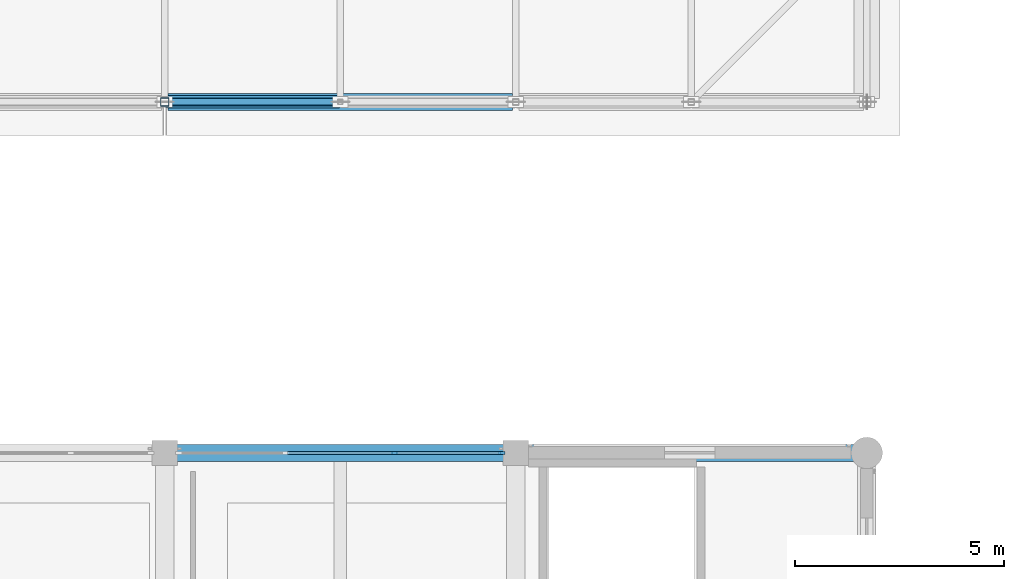
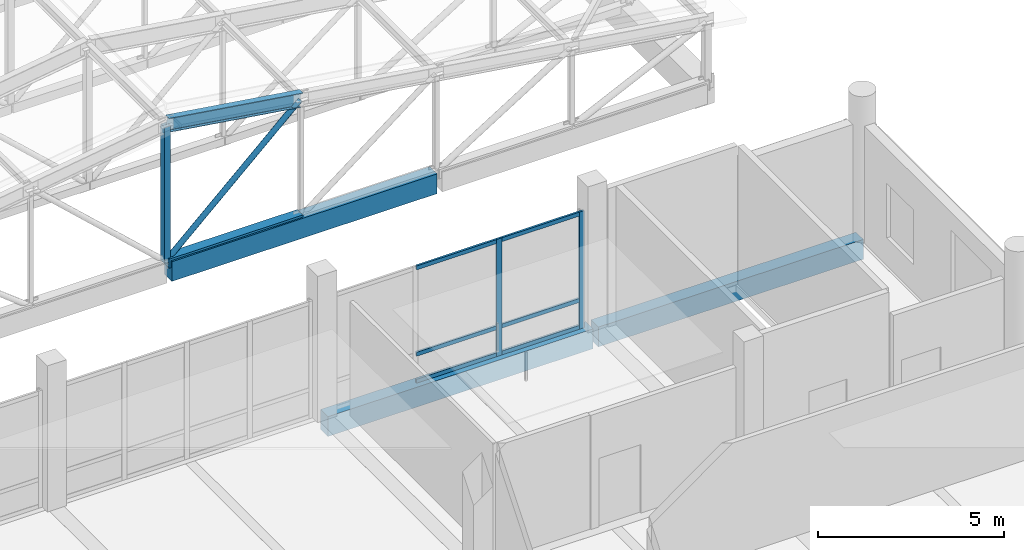
# One storey, part 26 of 122: 12 members, 3 beams, 1 element without a shape of its own.
"""IFC4 building model written with IfcOpenShell, lengths in metres."""

from ifc_helpers import new_model, si_unit, direction, frame, origin, origin_2d, place, context, subcontext, project, spatial, rectangle, hollow_rectangle, hollow_circle, i_section, extrude, material, layer, layer_set, material_profile, profile_set, type_object, element, aggregate, save


model = new_model("IFC4")

# Units and contexts
model_context = context("Model", 3, precision=1e-05, world=origin(), true_north=direction((0.0, 1.0)))
body_context = subcontext(model_context, "Body", "Model", "MODEL_VIEW")
ifc_project = project(units=[si_unit("LENGTHUNIT", "METRE"), si_unit("AREAUNIT", "SQUARE_METRE"), si_unit("VOLUMEUNIT", "CUBIC_METRE"), si_unit("PLANEANGLEUNIT", "RADIAN"), si_unit("MASSUNIT", "GRAM", prefix="KILO")], contexts=[model_context])

# Site, building, storey
site_placement = place(None, origin())
site = spatial("IfcSite", under=ifc_project, at=site_placement, CompositionType="ELEMENT")
building_placement = place(site_placement, origin())
building = spatial("IfcBuilding", under=site, at=building_placement, Name="Telukmera Botanical Conservatory", CompositionType="ELEMENT")
storey_placement = place(building_placement, frame((0.0, 0.0, 10.199951171875)))
storey = spatial("IfcBuildingStorey", under=building, at=storey_placement, Name="L02", CompositionType="ELEMENT", Elevation=10.199951171875)

# Beams
ifc_material_1 = material(Name="Concrete C40/50", Category="concrete")
ifc_material_profile_1 = material_profile(ifc_material_1, rectangle(XDim=0.39990234375, YDim=0.64990234375, at=origin_2d()), Name="RC 400x650")
ifc_profile_set_1 = profile_set([ifc_material_profile_1], Name="Concrete C40/50")
beam_type = type_object("IfcBeamType", Name="Beam_B8", PredefinedType="BEAM", material=ifc_profile_set_1)
for number, where, z_axis, x_axis, name in (
    (1, (25.280029296875, 74.800048828125, -0.324951171875), (1.0, 0.0, 0.0), (0.0, 1.0, 0.0), "Visitor Wing Grid Beam L02"),
    (2, (33.679931640625, 74.800048828125, -0.324951171875), (1.0, 0.0, 0.0), (0.0, 1.0, 0.0), "Visitor Wing Grid Beam L02"),
    (3, (25.280029296875, 83.199951171875, -0.324951171875), (1.0, 0.0, 0.0), (0.0, 1.0, 0.0), "Auditorium Frame Beam beam:V2:L02:port_x:832:252"),
):
    element("IfcBeam", number, at=place(storey_placement, frame(where, z_axis=z_axis, x_axis=x_axis)), inside=storey, type_object=beam_type, Name=name, PredefinedType="BEAM", context=body_context, shape_type="SweptSolid", body=[
        extrude(rectangle(XDim=0.39990234375, YDim=0.64990234375, at=origin_2d()), origin(), (0.0, 0.0, 1.0), 8.239990234375),
    ])

# Curtain wall, members
ifc_material_2 = material(Name="Anodised aluminium 6063-T6", Category="aluminium")
ifc_layer = layer(ifc_material_2, 0.179931640625)
ifc_layer_set = layer_set([ifc_layer], Name="Anodised aluminium 6063-T6")
curtain_wall_type = type_object("IfcCurtainWallType", Name="Visitor Gallery Second Floor Curtain Wall 2400 Mod", PredefinedType="USERDEFINED", material=ifc_layer_set)
curtain_wall_placement = place(storey_placement, origin())
curtain_wall = element("IfcCurtainWall", 4, at=curtain_wall_placement, inside=storey, type_object=curtain_wall_type, Name="Unitised Curtain Wall CW09 V3:L02:N3", ObjectType="UNITISED CURTAIN WALL", PredefinedType="USERDEFINED")
ifc_material_profile_2 = material_profile(ifc_material_2, rectangle(XDim=0.06494140625, YDim=0.159912109375, at=origin_2d()), Name="ALU MULL 65x160")
ifc_profile_set_2 = profile_set([ifc_material_profile_2], Name="Anodised aluminium 6063-T6")
member_type_1 = type_object("IfcMemberType", Name="Curtain Wall Extruded Mullion 65x160", PredefinedType="MULLION", material=ifc_profile_set_2)
member_1_placement = place(storey_placement, frame((30.69921875, 74.800048828125, 0.0), z_axis=(0.0, 0.0, 1.0), x_axis=(0.0, 1.0, 0.0)))
member_1 = element("IfcMember", 5, at=member_1_placement, type_object=member_type_1, Name="CW09 mullion 3", PredefinedType="MULLION", context=body_context, shape_type="SweptSolid", body=[
    extrude(rectangle(XDim=0.06494140625, YDim=0.159912109375, at=origin_2d()), origin(), (0.0, 0.0, 1.0), 3.85009765625),
])
member_2_placement = place(storey_placement, frame((33.265380859375, 74.800048828125, 0.0), z_axis=(0.0, 0.0, 1.0), x_axis=(0.0, 1.0, 0.0)))
member_2 = element("IfcMember", 6, at=member_2_placement, type_object=member_type_1, Name="CW09 mullion 4", PredefinedType="MULLION", context=body_context, shape_type="SweptSolid", body=[
    extrude(rectangle(XDim=0.06494140625, YDim=0.159912109375, at=origin_2d()), origin(), (0.0, 0.0, 1.0), 3.85009765625),
])
ifc_material_profile_3 = material_profile(ifc_material_2, rectangle(XDim=0.06494140625, YDim=0.1298828125, at=origin_2d()), Name="ALU TRAN 65x130")
ifc_profile_set_3 = profile_set([ifc_material_profile_3], Name="Anodised aluminium 6063-T6")
member_type_2 = type_object("IfcMemberType", Name="Curtain Wall Extruded Transom 65x130", PredefinedType="USERDEFINED", material=ifc_profile_set_3)
member_3_placement = place(storey_placement, frame((28.133056640625, 74.800048828125, 0.06494140625), z_axis=(1.0, 0.0, 0.0), x_axis=(0.0, 1.0, 0.0)))
member_3 = element("IfcMember", 7, at=member_3_placement, type_object=member_type_2, Name="CW09 transom 2.1", ObjectType="TRANSOM", PredefinedType="USERDEFINED", context=body_context, shape_type="SweptSolid", body=[
    extrude(rectangle(XDim=0.06494140625, YDim=0.1298828125, at=origin_2d()), origin(), (0.0, 0.0, 1.0), 2.53369140625),
])
member_4_placement = place(storey_placement, frame((28.133056640625, 74.800048828125, 0.949951171875), z_axis=(1.0, 0.0, 0.0), x_axis=(0.0, 1.0, 0.0)))
member_4 = element("IfcMember", 8, at=member_4_placement, type_object=member_type_2, Name="CW09 transom 2.2", ObjectType="TRANSOM", PredefinedType="USERDEFINED", context=body_context, shape_type="SweptSolid", body=[
    extrude(rectangle(XDim=0.06494140625, YDim=0.1298828125, at=origin_2d()), origin(), (0.0, 0.0, 1.0), 2.53369140625),
])
member_5_placement = place(storey_placement, frame((28.133056640625, 74.800048828125, 3.78515625), z_axis=(1.0, 0.0, 0.0), x_axis=(0.0, 1.0, 0.0)))
member_5 = element("IfcMember", 9, at=member_5_placement, type_object=member_type_2, Name="CW09 transom 2.3", ObjectType="TRANSOM", PredefinedType="USERDEFINED", context=body_context, shape_type="SweptSolid", body=[
    extrude(rectangle(XDim=0.06494140625, YDim=0.1298828125, at=origin_2d()), origin(), (0.0, 0.0, 1.0), 2.53369140625),
])
member_6_placement = place(storey_placement, frame((30.73193359375, 74.800048828125, 0.06494140625), z_axis=(1.0, 0.0, 0.0), x_axis=(0.0, 1.0, 0.0)))
member_6 = element("IfcMember", 10, at=member_6_placement, type_object=member_type_2, Name="CW09 transom 3.1", ObjectType="TRANSOM", PredefinedType="USERDEFINED", context=body_context, shape_type="SweptSolid", body=[
    extrude(rectangle(XDim=0.06494140625, YDim=0.1298828125, at=origin_2d()), origin(), (0.0, 0.0, 1.0), 2.5009765625),
])
member_7_placement = place(storey_placement, frame((30.73193359375, 74.800048828125, 0.949951171875), z_axis=(1.0, 0.0, 0.0), x_axis=(0.0, 1.0, 0.0)))
member_7 = element("IfcMember", 11, at=member_7_placement, type_object=member_type_2, Name="CW09 transom 3.2", ObjectType="TRANSOM", PredefinedType="USERDEFINED", context=body_context, shape_type="SweptSolid", body=[
    extrude(rectangle(XDim=0.06494140625, YDim=0.1298828125, at=origin_2d()), origin(), (0.0, 0.0, 1.0), 2.5009765625),
])
member_8_placement = place(storey_placement, frame((30.73193359375, 74.800048828125, 3.78515625), z_axis=(1.0, 0.0, 0.0), x_axis=(0.0, 1.0, 0.0)))
member_8 = element("IfcMember", 12, at=member_8_placement, type_object=member_type_2, Name="CW09 transom 3.3", ObjectType="TRANSOM", PredefinedType="USERDEFINED", context=body_context, shape_type="SweptSolid", body=[
    extrude(rectangle(XDim=0.06494140625, YDim=0.1298828125, at=origin_2d()), origin(), (0.0, 0.0, 1.0), 2.5009765625),
])
aggregate(curtain_wall, [member_1, member_2, member_3, member_4, member_5, member_6, member_7, member_8])

# Members
ifc_material_3 = material(Name="Steel S355", Category="steel")
ifc_material_profile_4 = material_profile(ifc_material_3, hollow_rectangle(XDim=0.300048828125, YDim=0.300048828125, WallThickness=0.012451171875, at=origin_2d()), Name="SHS 300x300x12.5")
ifc_profile_set_4 = profile_set([ifc_material_profile_4], Name="Steel S355")
member_type_3 = type_object("IfcMemberType", Name="Mem_TC3", PredefinedType="CHORD", material=ifc_profile_set_4)
member_9_placement = place(storey_placement, frame((25.219970703125, 83.199951171875, -0.079833984375), z_axis=(1.0, 0.0, 0.0), x_axis=(0.0, 1.0, 0.0)))
element("IfcMember", 13, at=member_9_placement, inside=storey, type_object=member_type_3, Name="Auditorium Pratt Truss Bottom Chord T1-5", PredefinedType="CHORD", context=body_context, shape_type="SweptSolid", body=[
    extrude(hollow_rectangle(XDim=0.300048828125, YDim=0.300048828125, WallThickness=0.012451171875, at=origin_2d()), origin(), (0.0, 0.0, 1.0), 4.159912109375),
])
ifc_material_profile_5 = material_profile(ifc_material_3, i_section(OverallWidth=0.19140625, OverallDepth=0.4599609375, WebThickness=0.010009765625, FlangeThickness=0.01611328125, FilletRadius=0.01025390625, at=origin_2d()), Name="UB 457x191x82")
ifc_profile_set_5 = profile_set([ifc_material_profile_5], Name="Steel S355")
member_type_4 = type_object("IfcMemberType", Name="Mem_TC4", PredefinedType="CHORD", material=ifc_profile_set_5)
member_10_placement = place(storey_placement, frame((25.2197265625, 83.199951171875, 4.427734375), z_axis=(0.989022603236, 0.0, -0.147764306545), x_axis=(0.0, 1.0, 0.0)))
element("IfcMember", 14, at=member_10_placement, inside=storey, type_object=member_type_4, Name="Auditorium Pratt Truss Top Chord T1-5", PredefinedType="CHORD", context=body_context, shape_type="SweptSolid", body=[
    extrude(i_section(OverallWidth=0.19140625, OverallDepth=0.4599609375, WebThickness=0.010009765625, FlangeThickness=0.01611328125, FilletRadius=0.01025390625, at=origin_2d()), origin(), (0.0, 0.0, 1.0), 4.20654296875),
])
ifc_material_profile_6 = material_profile(ifc_material_3, hollow_circle(Radius=0.084228515625, WallThickness=0.008056640625, at=origin_2d()), Name="CHS 168.3x8.0")
ifc_profile_set_6 = profile_set([ifc_material_profile_6], Name="Steel S355")
member_type_5 = type_object("IfcMemberType", Name="Mem_TD2", PredefinedType="BRACE", material=ifc_profile_set_6)
member_11_placement = place(storey_placement, frame((25.221923828125, 83.199951171875, -0.0595703125), z_axis=(0.734277342079, 0.0, 0.678849604044), x_axis=(0.0, 1.0, 0.0)))
element("IfcMember", 15, at=member_11_placement, inside=storey, type_object=member_type_5, Name="Auditorium Pratt Truss Web Diagonal T1-D5", PredefinedType="BRACE", context=body_context, shape_type="SweptSolid", body=[
    extrude(hollow_circle(Radius=0.084228515625, WallThickness=0.008056640625, at=origin_2d()), origin(), (0.0, 0.0, 1.0), 5.659912109375),
])
ifc_material_profile_7 = material_profile(ifc_material_3, hollow_rectangle(XDim=0.199951171875, YDim=0.199951171875, WallThickness=0.010009765625, at=origin_2d()), Name="SHS 200x200x10.0")
ifc_profile_set_7 = profile_set([ifc_material_profile_7], Name="Steel S355")
member_type_6 = type_object("IfcMemberType", Name="Mem_TV1", PredefinedType="POST", material=ifc_profile_set_7)
member_12_placement = place(storey_placement, frame((25.199951171875, 83.199951171875, -0.06005859375), z_axis=(0.0, 0.0, 1.0), x_axis=(1.0, 0.0, 0.0)))
element("IfcMember", 16, at=member_12_placement, inside=storey, type_object=member_type_6, Name="Auditorium Pratt Truss Vertical T1-V4", PredefinedType="POST", context=body_context, shape_type="SweptSolid", body=[
    extrude(hollow_rectangle(XDim=0.199951171875, YDim=0.199951171875, WallThickness=0.010009765625, at=origin_2d()), origin(), (0.0, 0.0, 1.0), 4.470947265625),
])

save(model, "model.ifc")
